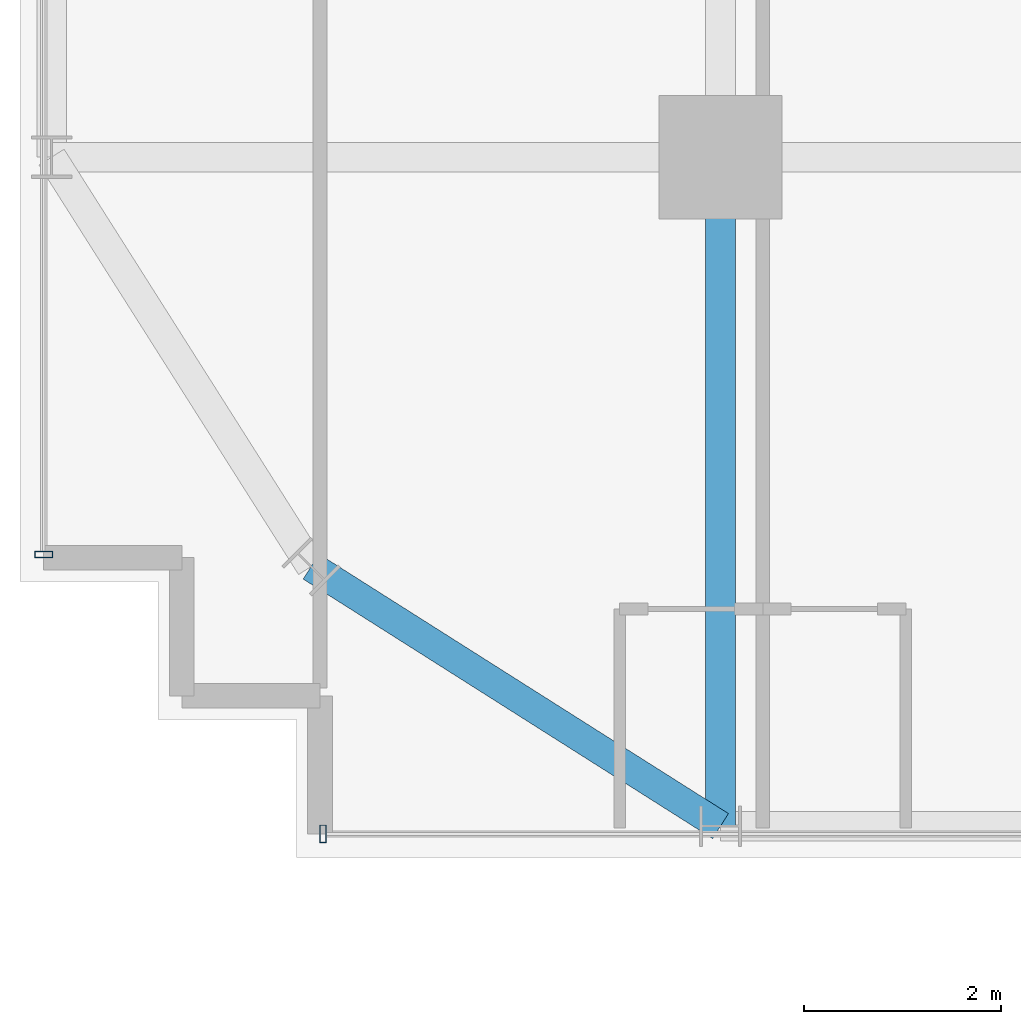
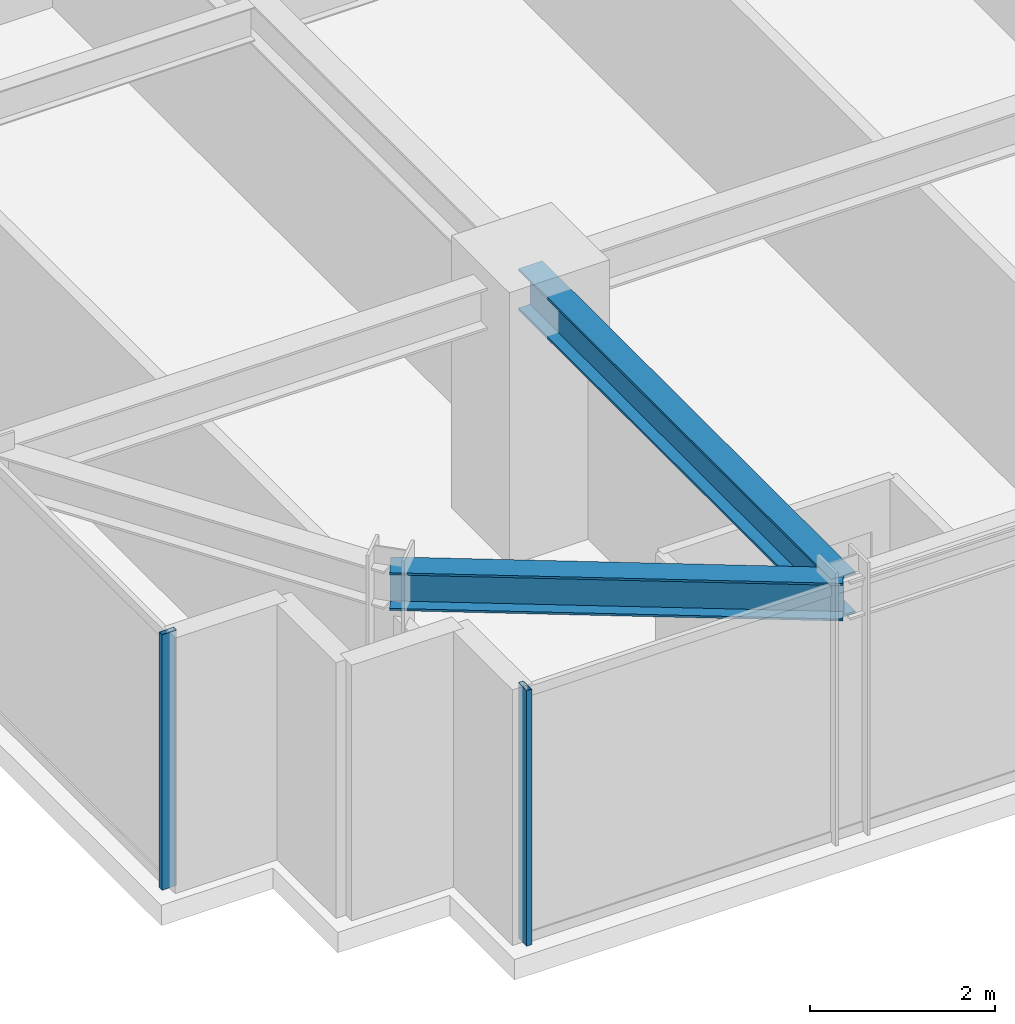
# One storey, part 2 of 33: 2 beams, 2 members, 2 elements without a shape of their own.
"""IFC4 building model written with IfcOpenShell, lengths in metres."""

from ifc_helpers import new_model, si_unit, direction, frame, origin, origin_2d, place, context, subcontext, project, spatial, hollow_rectangle, i_section, extrude, source, transform, mapped, material, material_profile, profile_set, type_object, element, aggregate, save


model = new_model("IFC4")

# Units and contexts
model_context = context("Model", 3, precision=1e-05, world=origin(), true_north=direction((0.0, 1.0)))
body_context = subcontext(model_context, "Body", "Model", "MODEL_VIEW")
ifc_project = project(units=[si_unit("LENGTHUNIT", "METRE"), si_unit("AREAUNIT", "SQUARE_METRE"), si_unit("VOLUMEUNIT", "CUBIC_METRE"), si_unit("PLANEANGLEUNIT", "RADIAN"), si_unit("MASSUNIT", "GRAM", prefix="KILO")], contexts=[model_context])

# Site, building, storey
site_placement = place(None, origin())
site = spatial("IfcSite", under=ifc_project, at=site_placement, CompositionType="ELEMENT")
building_placement = place(site_placement, origin())
building = spatial("IfcBuilding", under=site, at=building_placement, Name="Nahalor Promenade Grand Hotel", CompositionType="ELEMENT")
storey_placement = place(building_placement, frame((0.0, 0.0, 117.5)))
storey = spatial("IfcBuildingStorey", under=building, at=storey_placement, Name="L29", CompositionType="ELEMENT", Elevation=117.5)

# Beams
ifc_material_1 = material(Name="Steel S355JR", Category="steel")
ifc_material_profile_1 = material_profile(ifc_material_1, i_section(OverallWidth=0.3, OverallDepth=0.5, WebThickness=0.0145, FlangeThickness=0.028, at=origin_2d()), Name="HEB 500")
ifc_profile_set_1 = profile_set([ifc_material_profile_1], Name="Steel S355JR")
beam_type_1 = type_object("IfcBeamType", Name="Beam-Spandrel-HEB500", PredefinedType="SPANDREL", material=ifc_profile_set_1)
shared_shape_1 = source(origin(), body_context, "Body", "SweptSolid", [
    extrude(i_section(OverallWidth=0.3, OverallDepth=0.5, WebThickness=0.0145, FlangeThickness=0.028, at=origin_2d()), origin(), (0.0, 0.0, 1.0), 4.9130859375),
])
beam_1_placement = place(storey_placement, frame((-17.0, -23.780029296875, 3.1298828125), z_axis=(-0.844648325505, 0.535321591403, 0.0), x_axis=(-0.535321591403, -0.844648325505, 0.0)))
element("IfcBeam", 1, at=beam_1_placement, inside=storey, type_object=beam_type_1, Name="BM-L29-SPC-SW-1", PredefinedType="SPANDREL", context=body_context, shape_type="MappedRepresentation", body=[
    mapped(shared_shape_1, transform((0.0, 0.0, 0.0), scale=1.0)),
])
ifc_material_profile_2 = material_profile(ifc_material_1, i_section(OverallWidth=0.3, OverallDepth=0.55, WebThickness=0.015, FlangeThickness=0.029, at=origin_2d()), Name="HEB 550")
ifc_profile_set_2 = profile_set([ifc_material_profile_2], Name="Steel S355JR")
beam_type_2 = type_object("IfcBeamType", Name="Beam-Girder-HEB550", PredefinedType="BEAM", material=ifc_profile_set_2)
shared_shape_2 = source(origin(), body_context, "Body", "SweptSolid", [
    extrude(i_section(OverallWidth=0.3, OverallDepth=0.55, WebThickness=0.015, FlangeThickness=0.029, at=origin_2d()), origin(), (0.0, 0.0, 1.0), 6.780029296875),
])
beam_2_placement = place(storey_placement, frame((-17.0, -23.780029296875, 3.10498046875), z_axis=(0.0, 1.0, 0.0), x_axis=(-1.0, 0.0, 0.0)))
element("IfcBeam", 2, at=beam_2_placement, inside=storey, type_object=beam_type_2, Name="BM-L29-GY-0-0", PredefinedType="BEAM", context=body_context, shape_type="MappedRepresentation", body=[
    mapped(shared_shape_2, transform((0.0, 0.0, 0.0), scale=1.0)),
])

# Curtain wall, member
ifc_material_2 = material(Name="Anodised Bronze Aluminium EN AW-6063 T6", Category="aluminium")
curtain_wall_type = type_object("IfcCurtainWallType", Name="CW2 Typical Hotel Flush Bronze Unitised Curtain Wall", PredefinedType="USERDEFINED", material=ifc_material_2)
curtain_wall_1_placement = place(storey_placement, origin())
curtain_wall_1 = element("IfcCurtainWall", 3, at=curtain_wall_1_placement, inside=storey, type_object=curtain_wall_type, Name="L29 Curtain Wall CW-L29-S-1", ObjectType="UNITISED_CURTAIN_WALL", PredefinedType="USERDEFINED")
ifc_material_profile_3 = material_profile(ifc_material_2, hollow_rectangle(XDim=0.065, YDim=0.18, WallThickness=0.004, at=origin_2d()), Name="CWM 65x180x4")
ifc_profile_set_3 = profile_set([ifc_material_profile_3], Name="Anodised Bronze Aluminium EN AW-6063 T6")
member_type = type_object("IfcMemberType", Name="CWM2 Typical Bronze Mullion 65x180", PredefinedType="MULLION", material=ifc_profile_set_3)
shared_shape_3 = source(origin(), body_context, "Body", "SweptSolid", [
    extrude(hollow_rectangle(XDim=0.065, YDim=0.18, WallThickness=0.004, at=origin_2d()), origin(), (0.0, 0.0, 1.0), 3.3798828125),
])
member_1_placement = place(storey_placement, frame((-21.027587890625, -23.860107421875, 0.0), z_axis=(0.0, 0.0, 1.0), x_axis=(1.0, 0.0, 0.0)))
member_1 = element("IfcMember", 4, at=member_1_placement, type_object=member_type, Name="CW-L29-S-1 Mullion 0", PredefinedType="MULLION", context=body_context, shape_type="MappedRepresentation", body=[
    mapped(shared_shape_3, transform((0.0, 0.0, 0.0), scale=1.0)),
])
aggregate(curtain_wall_1, [member_1])

curtain_wall_2_placement = place(storey_placement, origin())
curtain_wall_2 = element("IfcCurtainWall", 5, at=curtain_wall_2_placement, inside=storey, type_object=curtain_wall_type, Name="L29 Curtain Wall CW-L29-W-1", ObjectType="UNITISED_CURTAIN_WALL", PredefinedType="USERDEFINED")
member_2_placement = place(storey_placement, frame((-23.860107421875, -21.027587890625, 0.0), z_axis=(0.0, 0.0, 1.0), x_axis=(0.0, 1.0, 0.0)))
member_2 = element("IfcMember", 6, at=member_2_placement, type_object=member_type, Name="CW-L29-W-1 Mullion 0", PredefinedType="MULLION", context=body_context, shape_type="MappedRepresentation", body=[
    mapped(shared_shape_3, transform((0.0, 0.0, 0.0), scale=1.0)),
])
aggregate(curtain_wall_2, [member_2])

save(model, "model.ifc")
